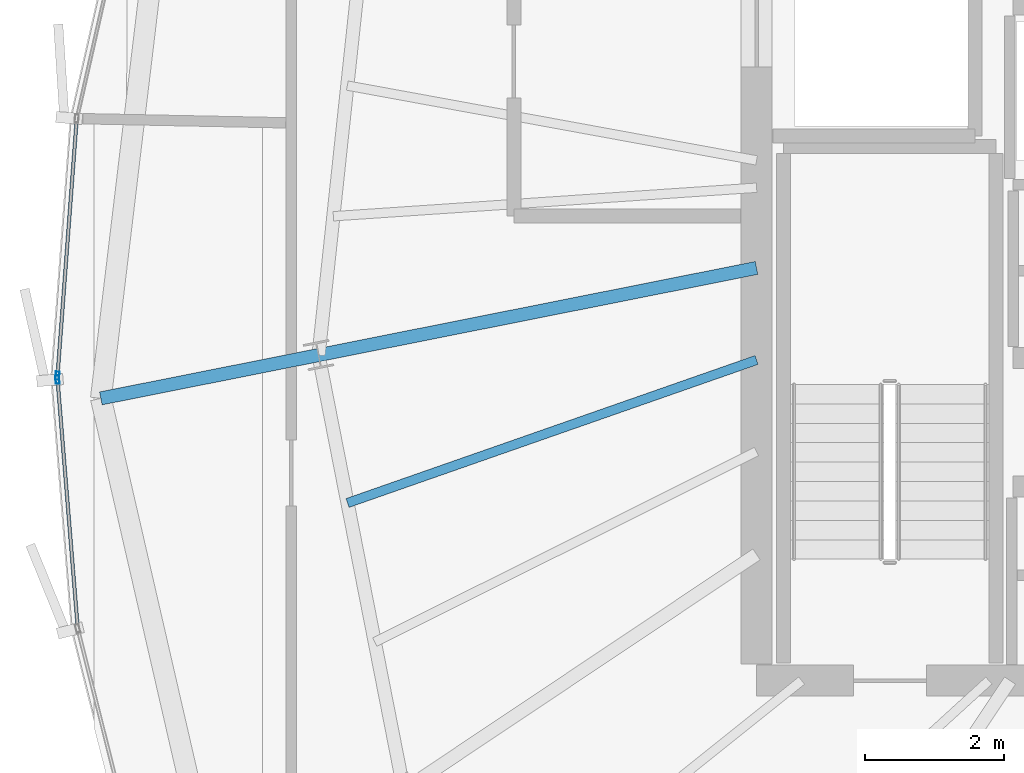
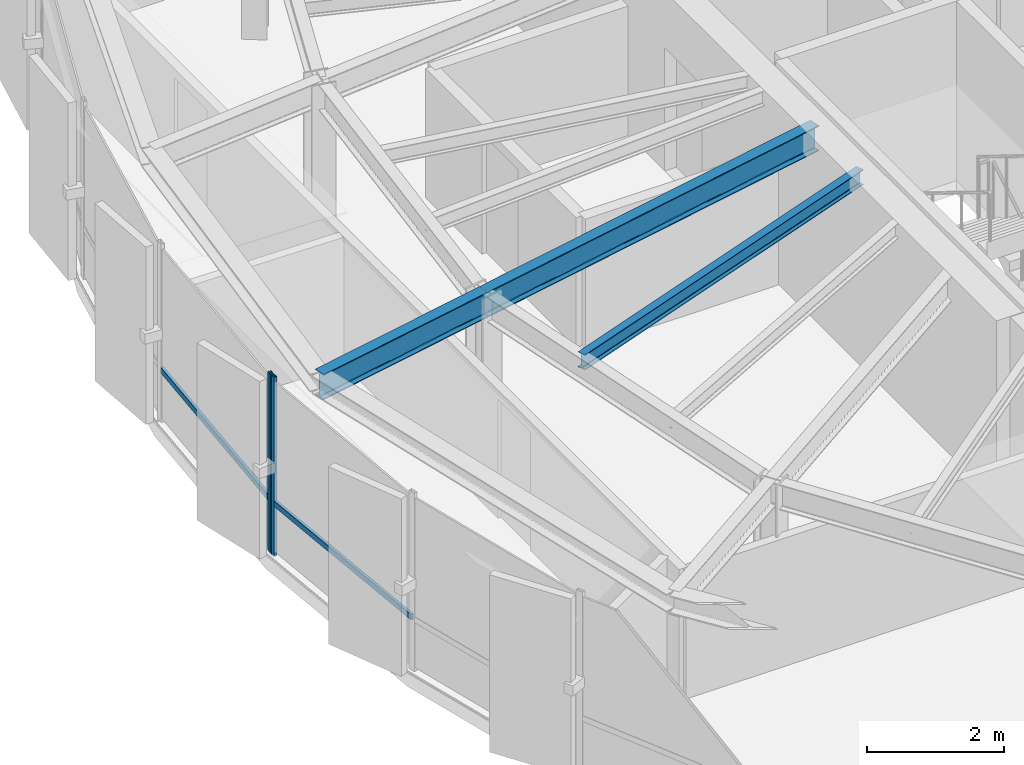
# One storey, part 10 of 30: 4 members, 3 beams, 2 elements without a shape of their own.
"""IFC4 building model written with IfcOpenShell, lengths in metres."""

from ifc_helpers import new_model, si_unit, direction, frame, origin, origin_2d, place, context, subcontext, project, spatial, hollow_rectangle, i_section, extrude, source, transform, mapped, material, layer, layer_set, material_profile, profile_set, type_object, element, aggregate, save


model = new_model("IFC4")

# Units and contexts
model_context = context("Model", 3, precision=1e-05, world=origin(), true_north=direction((0.0, 1.0)))
body_context = subcontext(model_context, "Body", "Model", "MODEL_VIEW")
ifc_project = project(units=[si_unit("LENGTHUNIT", "METRE"), si_unit("AREAUNIT", "SQUARE_METRE"), si_unit("VOLUMEUNIT", "CUBIC_METRE"), si_unit("PLANEANGLEUNIT", "RADIAN"), si_unit("MASSUNIT", "GRAM", prefix="KILO"), si_unit("THERMODYNAMICTEMPERATUREUNIT", "KELVIN")], contexts=[model_context])

# Site, building, storey
site_placement = place(None, origin())
site = spatial("IfcSite", under=ifc_project, at=site_placement, CompositionType="ELEMENT")
building_placement = place(site_placement, origin())
building = spatial("IfcBuilding", under=site, at=building_placement, Name="Kethvar Cultural Tower", CompositionType="ELEMENT")
storey_placement = place(building_placement, frame((0.0, 0.0, 293.949951171875)))
storey = spatial("IfcBuildingStorey", under=building, at=storey_placement, Name="L78", CompositionType="ELEMENT", Elevation=293.949951171875)

# Beams
ifc_material_1 = material(Name="Steel S355J2", Category="steel")
ifc_material_profile_1 = material_profile(ifc_material_1, i_section(OverallWidth=0.18994140625, OverallDepth=0.449951171875, WebThickness=0.009521484375, FlangeThickness=0.0146484375, FilletRadius=0.02099609375, at=origin_2d()), Name="Steel S355J2 — IPE450")
ifc_profile_set_1 = profile_set([ifc_material_profile_1], Name="Steel S355J2 — IPE450")
beam_type_1 = type_object("IfcBeamType", Name="BM-IPE450", PredefinedType="BEAM", material=ifc_profile_set_1)
shared_shape_1 = source(origin(), body_context, "Body", "SweptSolid", [
    extrude(i_section(OverallWidth=0.18994140625, OverallDepth=0.449951171875, WebThickness=0.009521484375, FlangeThickness=0.0146484375, FilletRadius=0.02099609375, at=origin_2d()), origin(), (0.0, 0.0, 1.0), 3.2001953125),
])
beam_1_placement = place(storey_placement, frame((31.68310546875, 24.79296875, 2.983154296875), z_axis=(-0.980788453702, -0.195074368086, 0.0), x_axis=(0.195074368086, -0.980788453702, 0.0)))
element("IfcBeam", 1, at=beam_1_placement, inside=storey, type_object=beam_type_1, Name="L78 Perimeter Cantilever Beam RC-09", PredefinedType="BEAM", context=body_context, shape_type="MappedRepresentation", body=[
    mapped(shared_shape_1, transform((0.0, 0.0, 0.0), scale=1.0)),
])
shared_shape_2 = source(origin(), body_context, "Body", "SweptSolid", [
    extrude(i_section(OverallWidth=0.18994140625, OverallDepth=0.449951171875, WebThickness=0.009521484375, FlangeThickness=0.0146484375, FilletRadius=0.02099609375, at=origin_2d()), origin(), (0.0, 0.0, 1.0), 6.440673828125),
])
beam_2_placement = place(storey_placement, frame((38.0, 26.049560546875, 2.983154296875), z_axis=(-0.980782804096, -0.195102770839, 0.0), x_axis=(0.195102770839, -0.980782804096, 0.0)))
element("IfcBeam", 2, at=beam_2_placement, inside=storey, type_object=beam_type_1, Name="L78 Primary Radial Beam RB-09", PredefinedType="BEAM", context=body_context, shape_type="MappedRepresentation", body=[
    mapped(shared_shape_2, transform((0.0, 0.0, 0.0), scale=1.0)),
])
ifc_material_profile_2 = material_profile(ifc_material_1, i_section(OverallWidth=0.135009765625, OverallDepth=0.27001953125, WebThickness=0.006591796875, FlangeThickness=0.01025390625, FilletRadius=0.014892578125, at=origin_2d()), Name="Steel S355J2 — IPE270")
ifc_profile_set_2 = profile_set([ifc_material_profile_2], Name="Steel S355J2 — IPE270")
beam_type_2 = type_object("IfcBeamType", Name="BM-J270", PredefinedType="JOIST", material=ifc_profile_set_2)
shared_shape_3 = source(origin(), body_context, "Body", "SweptSolid", [
    extrude(i_section(OverallWidth=0.135009765625, OverallDepth=0.27001953125, WebThickness=0.006591796875, FlangeThickness=0.01025390625, FilletRadius=0.014892578125, at=origin_2d()), origin(), (0.0, 0.0, 1.0), 6.248779296875),
])
beam_3_placement = place(storey_placement, frame((38.0, 24.722900390625, 3.072998046875), z_axis=(-0.943960031743, -0.330059780148, 0.0), x_axis=(0.330059780148, -0.943960031743, 0.0)))
element("IfcBeam", 3, at=beam_3_placement, inside=storey, type_object=beam_type_2, Name="L78 Composite Floor Joist J-09A", PredefinedType="JOIST", context=body_context, shape_type="MappedRepresentation", body=[
    mapped(shared_shape_3, transform((0.0, 0.0, 0.0), scale=1.0)),
])

# Curtain wall, member
ifc_material_2 = material(Name="Aluminium 6063-T6", Category="aluminium")
ifc_layer = layer(ifc_material_2, 0.179931640625, Name="Aluminium 6063-T6", Category="aluminium")
ifc_layer_set = layer_set([ifc_layer], Name="Aluminium 6063-T6 (180 mm)")
curtain_wall_type = type_object("IfcCurtainWallType", Name="CW-SYS-05-Z56", PredefinedType="NOTDEFINED", material=ifc_layer_set)
curtain_wall_1_placement = place(storey_placement, origin())
curtain_wall_1 = element("IfcCurtainWall", 4, at=curtain_wall_1_placement, inside=storey, type_object=curtain_wall_type, Name="L78 Curtain Wall Run 02", PredefinedType="NOTDEFINED")
ifc_material_profile_3 = material_profile(ifc_material_2, hollow_rectangle(XDim=0.054931640625, YDim=0.1201171875, WallThickness=0.00390625, at=origin_2d()), Name="Aluminium 6063-T6 — RHS120x55x4")
ifc_profile_set_3 = profile_set([ifc_material_profile_3], Name="Aluminium 6063-T6 — RHS120x55x4")
member_type_1 = type_object("IfcMemberType", Name="CW-SYS-05-Z56-MUL", PredefinedType="MULLION", material=ifc_profile_set_3)
shared_shape_4 = source(origin(), body_context, "Body", "SweptSolid", [
    extrude(hollow_rectangle(XDim=0.054931640625, YDim=0.1201171875, WallThickness=0.00390625, at=origin_2d()), origin(), (0.0, 0.0, 1.0), 3.2099609375),
])
member_1_placement = place(storey_placement, frame((27.919189453125, 24.495849609375, 0.0), z_axis=(0.0, 0.0, 1.0), x_axis=(0.997212547684, -0.074613234358, 0.0)))
member_1 = element("IfcMember", 5, at=member_1_placement, type_object=member_type_1, Name="CW-L78-R02 Mullion 7", PredefinedType="MULLION", context=body_context, shape_type="MappedRepresentation", body=[
    mapped(shared_shape_4, transform((0.0, 0.0, 0.0), scale=1.0)),
])

curtain_wall_2_placement = place(storey_placement, origin())
curtain_wall_2 = element("IfcCurtainWall", 6, at=curtain_wall_2_placement, inside=storey, type_object=curtain_wall_type, Name="L78 Curtain Wall Run 03", PredefinedType="NOTDEFINED")
member_2_placement = place(storey_placement, frame((27.919189453125, 24.440185546875, 0.0), z_axis=(0.0, 0.0, 1.0), x_axis=(0.996701433778, 0.081155726265, 0.0)))
member_2 = element("IfcMember", 7, at=member_2_placement, type_object=member_type_1, Name="CW-L78-R03 Mullion 1", PredefinedType="MULLION", context=body_context, shape_type="MappedRepresentation", body=[
    mapped(shared_shape_4, transform((0.0, 0.0, 0.0), scale=1.0)),
])

# Member
ifc_material_profile_4 = material_profile(ifc_material_2, hollow_rectangle(XDim=0.050048828125, YDim=0.10009765625, WallThickness=0.00390625, at=origin_2d()), Name="Aluminium 6063-T6 — RHS100x50x4")
ifc_profile_set_4 = profile_set([ifc_material_profile_4], Name="Aluminium 6063-T6 — RHS100x50x4")
member_type_2 = type_object("IfcMemberType", Name="CW-SYS-05-Z56-TRN", PredefinedType="USERDEFINED", material=ifc_profile_set_4)
shared_shape_5 = source(origin(), body_context, "Body", "SweptSolid", [
    extrude(hollow_rectangle(XDim=0.050048828125, YDim=0.10009765625, WallThickness=0.00390625, at=origin_2d()), origin(), (0.0, 0.0, 1.0), 3.6748046875),
])
member_3_placement = place(storey_placement, frame((28.193603515625, 28.164306640625, 0.949951171875), z_axis=(-0.074608268375, -0.997212919235, 0.0), x_axis=(0.997212919235, -0.074608268375, 0.0)))
member_3 = element("IfcMember", 8, at=member_3_placement, type_object=member_type_2, Name="CW-L78-R02 Transom 6", ObjectType="TRANSOM", PredefinedType="USERDEFINED", context=body_context, shape_type="MappedRepresentation", body=[
    mapped(shared_shape_5, transform((0.0, 0.0, 0.0), scale=1.0)),
])

aggregate(curtain_wall_1, [member_1, member_3])

shared_shape_6 = source(origin(), body_context, "Body", "SweptSolid", [
    extrude(hollow_rectangle(XDim=0.050048828125, YDim=0.10009765625, WallThickness=0.00390625, at=origin_2d()), origin(), (0.0, 0.0, 1.0), 3.574951171875),
])
member_4_placement = place(storey_placement, frame((27.919677734375, 24.436279296875, 0.949951171875), z_axis=(0.081129417459, -0.996703575604, 0.0), x_axis=(0.996703575604, 0.081129417459, 0.0)))
member_4 = element("IfcMember", 9, at=member_4_placement, type_object=member_type_2, Name="CW-L78-R03 Transom 1", ObjectType="TRANSOM", PredefinedType="USERDEFINED", context=body_context, shape_type="MappedRepresentation", body=[
    mapped(shared_shape_6, transform((0.0, 0.0, 0.0), scale=1.0)),
])

aggregate(curtain_wall_2, [member_2, member_4])

save(model, "model.ifc")
